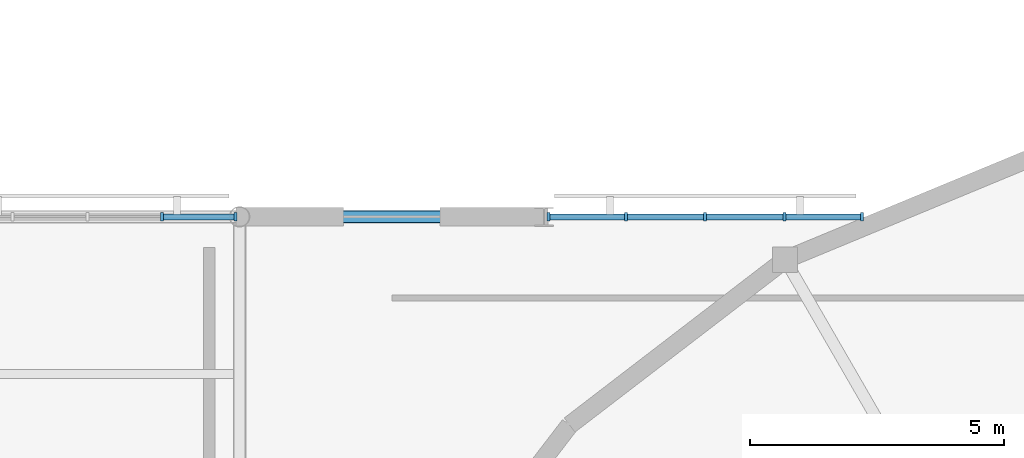
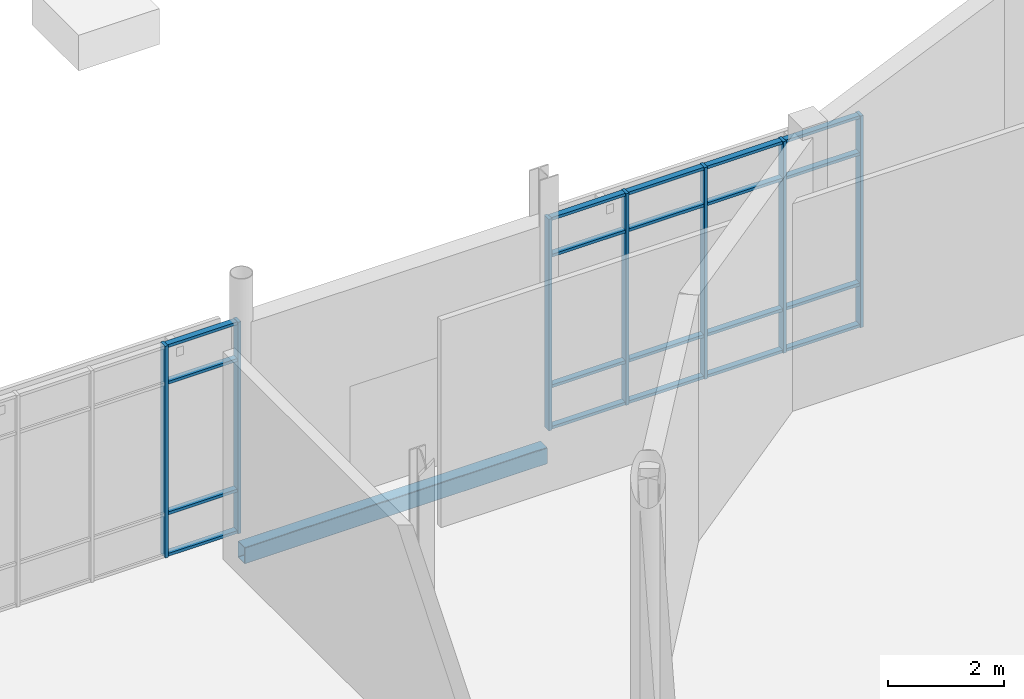
# One storey, part 44 of 98: 27 members, 1 beam, 2 elements without a shape of their own.
"""IFC4 building model written with IfcOpenShell, lengths in metres."""

from ifc_helpers import new_model, si_unit, direction, frame, origin, origin_2d, place, context, subcontext, project, spatial, rectangle, hollow_rectangle, extrude, material, layer, layer_set, material_profile, profile_set, type_object, element, aggregate, save


model = new_model("IFC4")

# Units and contexts
model_context = context("Model", 3, precision=1e-05, world=origin(), true_north=direction((0.0, 1.0)))
body_context = subcontext(model_context, "Body", "Model", "MODEL_VIEW")
ifc_project = project(units=[si_unit("LENGTHUNIT", "METRE"), si_unit("AREAUNIT", "SQUARE_METRE"), si_unit("VOLUMEUNIT", "CUBIC_METRE"), si_unit("PLANEANGLEUNIT", "RADIAN"), si_unit("MASSUNIT", "GRAM", prefix="KILO")], contexts=[model_context])

# Site, building, storey
site_placement = place(None, origin())
site = spatial("IfcSite", under=ifc_project, at=site_placement, CompositionType="ELEMENT")
building_placement = place(site_placement, origin())
building = spatial("IfcBuilding", under=site, at=building_placement, Name="Mirzam Square Science Centre", CompositionType="ELEMENT")
storey_placement = place(building_placement, origin())
storey = spatial("IfcBuildingStorey", under=building, at=storey_placement, Name="L00", CompositionType="ELEMENT", Elevation=0.0)

# Curtain wall, members
ifc_material_1 = material(Name="Anodised Aluminium and Low-E Solar Glass", Category="aluminium")
ifc_layer = layer(ifc_material_1, 0.199951171875)
ifc_layer_set = layer_set([ifc_layer], Name="CW-EAST-A")
curtain_wall_type = type_object("IfcCurtainWallType", Name="CW-EAST-A", PredefinedType="USERDEFINED", material=ifc_layer_set)
curtain_wall_1_placement = place(storey_placement, origin())
curtain_wall_1 = element("IfcCurtainWall", 1, at=curtain_wall_1_placement, inside=storey, type_object=curtain_wall_type, Name="L00 unitised curtain wall 6", ObjectType="UNITISED CURTAIN WALL", PredefinedType="USERDEFINED")
ifc_material_2 = material(Name="Anodised Architectural Aluminium 6063-T6", Category="aluminium")
ifc_material_profile_1 = material_profile(ifc_material_2, rectangle(XDim=0.06005859375, YDim=0.159912109375, at=origin_2d()), Name="ALU-MULL-160x60x4")
ifc_profile_set_1 = profile_set([ifc_material_profile_1], Name="Anodised Architectural Aluminium 6063-T6")
member_type_1 = type_object("IfcMemberType", Name="CWM-160", PredefinedType="MULLION", material=ifc_profile_set_1)
member_1_placement = place(storey_placement, frame((59.9150390625, 80.60009765625, 0.0), z_axis=(0.0, 0.0, 1.0), x_axis=(-1.0, 0.0, 0.0)))
member_1 = element("IfcMember", 2, at=member_1_placement, type_object=member_type_1, Name="CW-05 mullion 1", PredefinedType="MULLION", context=body_context, shape_type="SweptSolid", body=[
    extrude(rectangle(XDim=0.06005859375, YDim=0.159912109375, at=origin_2d()), origin(), (0.0, 0.0, 1.0), 4.43994140625),
])
member_2_placement = place(storey_placement, frame((58.472412109375, 80.60009765625, 0.0), z_axis=(0.0, 0.0, 1.0), x_axis=(-1.0, 0.0, 0.0)))
member_2 = element("IfcMember", 3, at=member_2_placement, type_object=member_type_1, Name="CW-05 mullion 2", PredefinedType="MULLION", context=body_context, shape_type="SweptSolid", body=[
    extrude(rectangle(XDim=0.06005859375, YDim=0.159912109375, at=origin_2d()), origin(), (0.0, 0.0, 1.0), 4.43994140625),
])

curtain_wall_2_placement = place(storey_placement, origin())
curtain_wall_2 = element("IfcCurtainWall", 4, at=curtain_wall_2_placement, inside=storey, type_object=curtain_wall_type, Name="L00 unitised curtain wall 46", ObjectType="UNITISED CURTAIN WALL", PredefinedType="USERDEFINED")
member_3_placement = place(storey_placement, frame((72.264892578125, 80.60009765625, 0.0), z_axis=(0.0, 0.0, 1.0), x_axis=(-1.0, 0.0, 0.0)))
member_3 = element("IfcMember", 5, at=member_3_placement, type_object=member_type_1, Name="CW-05 mullion 1", PredefinedType="MULLION", context=body_context, shape_type="SweptSolid", body=[
    extrude(rectangle(XDim=0.06005859375, YDim=0.159912109375, at=origin_2d()), origin(), (0.0, 0.0, 1.0), 4.43994140625),
])
member_4_placement = place(storey_placement, frame((70.735107421875, 80.60009765625, 0.0), z_axis=(0.0, 0.0, 1.0), x_axis=(-1.0, 0.0, 0.0)))
member_4 = element("IfcMember", 6, at=member_4_placement, type_object=member_type_1, Name="CW-05 mullion 2", PredefinedType="MULLION", context=body_context, shape_type="SweptSolid", body=[
    extrude(rectangle(XDim=0.06005859375, YDim=0.159912109375, at=origin_2d()), origin(), (0.0, 0.0, 1.0), 4.43994140625),
])
member_5_placement = place(storey_placement, frame((69.175048828125, 80.60009765625, 0.0), z_axis=(0.0, 0.0, 1.0), x_axis=(-1.0, 0.0, 0.0)))
member_5 = element("IfcMember", 7, at=member_5_placement, type_object=member_type_1, Name="CW-05 mullion 3", PredefinedType="MULLION", context=body_context, shape_type="SweptSolid", body=[
    extrude(rectangle(XDim=0.06005859375, YDim=0.159912109375, at=origin_2d()), origin(), (0.0, 0.0, 1.0), 4.43994140625),
])
member_6_placement = place(storey_placement, frame((67.614990234375, 80.60009765625, 0.0), z_axis=(0.0, 0.0, 1.0), x_axis=(-1.0, 0.0, 0.0)))
member_6 = element("IfcMember", 8, at=member_6_placement, type_object=member_type_1, Name="CW-05 mullion 4", PredefinedType="MULLION", context=body_context, shape_type="SweptSolid", body=[
    extrude(rectangle(XDim=0.06005859375, YDim=0.159912109375, at=origin_2d()), origin(), (0.0, 0.0, 1.0), 4.43994140625),
])
member_7_placement = place(storey_placement, frame((66.0849609375, 80.60009765625, 0.0), z_axis=(0.0, 0.0, 1.0), x_axis=(-1.0, 0.0, 0.0)))
member_7 = element("IfcMember", 9, at=member_7_placement, type_object=member_type_1, Name="CW-05 mullion 5", PredefinedType="MULLION", context=body_context, shape_type="SweptSolid", body=[
    extrude(rectangle(XDim=0.06005859375, YDim=0.159912109375, at=origin_2d()), origin(), (0.0, 0.0, 1.0), 4.43994140625),
])

# Member
ifc_material_profile_2 = material_profile(ifc_material_2, rectangle(XDim=0.1201171875, YDim=0.06005859375, at=origin_2d()), Name="ALU-TRAN-120x60x4")
ifc_profile_set_2 = profile_set([ifc_material_profile_2], Name="Anodised Architectural Aluminium 6063-T6")
member_type_2 = type_object("IfcMemberType", Name="CWT-120", PredefinedType="USERDEFINED", material=ifc_profile_set_2)
member_8_placement = place(storey_placement, frame((59.885009765625, 80.60009765625, 0.030029296875), z_axis=(-1.0, 0.0, 0.0), x_axis=(0.0, -1.0, 0.0)))
member_8 = element("IfcMember", 10, at=member_8_placement, type_object=member_type_2, Name="CW-05 transom 1.1", ObjectType="TRANSOM", PredefinedType="USERDEFINED", context=body_context, shape_type="SweptSolid", body=[
    extrude(rectangle(XDim=0.1201171875, YDim=0.06005859375, at=origin_2d()), origin(), (0.0, 0.0, 1.0), 1.382568359375),
])

member_9_placement = place(storey_placement, frame((59.885009765625, 80.60009765625, 0.89990234375), z_axis=(-1.0, 0.0, 0.0), x_axis=(0.0, -1.0, 0.0)))
member_9 = element("IfcMember", 11, at=member_9_placement, type_object=member_type_2, Name="CW-05 transom 1.2", ObjectType="TRANSOM", PredefinedType="USERDEFINED", context=body_context, shape_type="SweptSolid", body=[
    extrude(rectangle(XDim=0.1201171875, YDim=0.06005859375, at=origin_2d()), origin(), (0.0, 0.0, 1.0), 1.382568359375),
])

member_10_placement = place(storey_placement, frame((59.885009765625, 80.60009765625, 3.639892578125), z_axis=(-1.0, 0.0, 0.0), x_axis=(0.0, -1.0, 0.0)))
member_10 = element("IfcMember", 12, at=member_10_placement, type_object=member_type_2, Name="CW-05 transom 1.3", ObjectType="TRANSOM", PredefinedType="USERDEFINED", context=body_context, shape_type="SweptSolid", body=[
    extrude(rectangle(XDim=0.1201171875, YDim=0.06005859375, at=origin_2d()), origin(), (0.0, 0.0, 1.0), 1.382568359375),
])

member_11_placement = place(storey_placement, frame((59.885009765625, 80.60009765625, 4.409912109375), z_axis=(-1.0, 0.0, 0.0), x_axis=(0.0, -1.0, 0.0)))
member_11 = element("IfcMember", 13, at=member_11_placement, type_object=member_type_2, Name="CW-05 transom 1.4", ObjectType="TRANSOM", PredefinedType="USERDEFINED", context=body_context, shape_type="SweptSolid", body=[
    extrude(rectangle(XDim=0.1201171875, YDim=0.06005859375, at=origin_2d()), origin(), (0.0, 0.0, 1.0), 1.382568359375),
])

aggregate(curtain_wall_1, [member_1, member_2, member_8, member_9, member_10, member_11])

member_12_placement = place(storey_placement, frame((72.235107421875, 80.60009765625, 0.030029296875), z_axis=(-1.0, 0.0, 0.0), x_axis=(0.0, -1.0, 0.0)))
member_12 = element("IfcMember", 14, at=member_12_placement, type_object=member_type_2, Name="CW-05 transom 1.1", ObjectType="TRANSOM", PredefinedType="USERDEFINED", context=body_context, shape_type="SweptSolid", body=[
    extrude(rectangle(XDim=0.1201171875, YDim=0.06005859375, at=origin_2d()), origin(), (0.0, 0.0, 1.0), 1.47021484375),
])

member_13_placement = place(storey_placement, frame((72.235107421875, 80.60009765625, 0.89990234375), z_axis=(-1.0, 0.0, 0.0), x_axis=(0.0, -1.0, 0.0)))
member_13 = element("IfcMember", 15, at=member_13_placement, type_object=member_type_2, Name="CW-05 transom 1.2", ObjectType="TRANSOM", PredefinedType="USERDEFINED", context=body_context, shape_type="SweptSolid", body=[
    extrude(rectangle(XDim=0.1201171875, YDim=0.06005859375, at=origin_2d()), origin(), (0.0, 0.0, 1.0), 1.47021484375),
])

member_14_placement = place(storey_placement, frame((72.235107421875, 80.60009765625, 3.639892578125), z_axis=(-1.0, 0.0, 0.0), x_axis=(0.0, -1.0, 0.0)))
member_14 = element("IfcMember", 16, at=member_14_placement, type_object=member_type_2, Name="CW-05 transom 1.3", ObjectType="TRANSOM", PredefinedType="USERDEFINED", context=body_context, shape_type="SweptSolid", body=[
    extrude(rectangle(XDim=0.1201171875, YDim=0.06005859375, at=origin_2d()), origin(), (0.0, 0.0, 1.0), 1.47021484375),
])

member_15_placement = place(storey_placement, frame((72.235107421875, 80.60009765625, 4.409912109375), z_axis=(-1.0, 0.0, 0.0), x_axis=(0.0, -1.0, 0.0)))
member_15 = element("IfcMember", 17, at=member_15_placement, type_object=member_type_2, Name="CW-05 transom 1.4", ObjectType="TRANSOM", PredefinedType="USERDEFINED", context=body_context, shape_type="SweptSolid", body=[
    extrude(rectangle(XDim=0.1201171875, YDim=0.06005859375, at=origin_2d()), origin(), (0.0, 0.0, 1.0), 1.47021484375),
])

member_16_placement = place(storey_placement, frame((70.705078125, 80.60009765625, 0.030029296875), z_axis=(-1.0, 0.0, 0.0), x_axis=(0.0, -1.0, 0.0)))
member_16 = element("IfcMember", 18, at=member_16_placement, type_object=member_type_2, Name="CW-05 transom 2.1", ObjectType="TRANSOM", PredefinedType="USERDEFINED", context=body_context, shape_type="SweptSolid", body=[
    extrude(rectangle(XDim=0.1201171875, YDim=0.06005859375, at=origin_2d()), origin(), (0.0, 0.0, 1.0), 1.5),
])

member_17_placement = place(storey_placement, frame((70.705078125, 80.60009765625, 0.89990234375), z_axis=(-1.0, 0.0, 0.0), x_axis=(0.0, -1.0, 0.0)))
member_17 = element("IfcMember", 19, at=member_17_placement, type_object=member_type_2, Name="CW-05 transom 2.2", ObjectType="TRANSOM", PredefinedType="USERDEFINED", context=body_context, shape_type="SweptSolid", body=[
    extrude(rectangle(XDim=0.1201171875, YDim=0.06005859375, at=origin_2d()), origin(), (0.0, 0.0, 1.0), 1.5),
])

member_18_placement = place(storey_placement, frame((70.705078125, 80.60009765625, 3.639892578125), z_axis=(-1.0, 0.0, 0.0), x_axis=(0.0, -1.0, 0.0)))
member_18 = element("IfcMember", 20, at=member_18_placement, type_object=member_type_2, Name="CW-05 transom 2.3", ObjectType="TRANSOM", PredefinedType="USERDEFINED", context=body_context, shape_type="SweptSolid", body=[
    extrude(rectangle(XDim=0.1201171875, YDim=0.06005859375, at=origin_2d()), origin(), (0.0, 0.0, 1.0), 1.5),
])

member_19_placement = place(storey_placement, frame((70.705078125, 80.60009765625, 4.409912109375), z_axis=(-1.0, 0.0, 0.0), x_axis=(0.0, -1.0, 0.0)))
member_19 = element("IfcMember", 21, at=member_19_placement, type_object=member_type_2, Name="CW-05 transom 2.4", ObjectType="TRANSOM", PredefinedType="USERDEFINED", context=body_context, shape_type="SweptSolid", body=[
    extrude(rectangle(XDim=0.1201171875, YDim=0.06005859375, at=origin_2d()), origin(), (0.0, 0.0, 1.0), 1.5),
])

member_20_placement = place(storey_placement, frame((69.14501953125, 80.60009765625, 0.030029296875), z_axis=(-1.0, 0.0, 0.0), x_axis=(0.0, -1.0, 0.0)))
member_20 = element("IfcMember", 22, at=member_20_placement, type_object=member_type_2, Name="CW-05 transom 3.1", ObjectType="TRANSOM", PredefinedType="USERDEFINED", context=body_context, shape_type="SweptSolid", body=[
    extrude(rectangle(XDim=0.1201171875, YDim=0.06005859375, at=origin_2d()), origin(), (0.0, 0.0, 1.0), 1.5),
])

member_21_placement = place(storey_placement, frame((69.14501953125, 80.60009765625, 0.89990234375), z_axis=(-1.0, 0.0, 0.0), x_axis=(0.0, -1.0, 0.0)))
member_21 = element("IfcMember", 23, at=member_21_placement, type_object=member_type_2, Name="CW-05 transom 3.2", ObjectType="TRANSOM", PredefinedType="USERDEFINED", context=body_context, shape_type="SweptSolid", body=[
    extrude(rectangle(XDim=0.1201171875, YDim=0.06005859375, at=origin_2d()), origin(), (0.0, 0.0, 1.0), 1.5),
])

member_22_placement = place(storey_placement, frame((69.14501953125, 80.60009765625, 3.639892578125), z_axis=(-1.0, 0.0, 0.0), x_axis=(0.0, -1.0, 0.0)))
member_22 = element("IfcMember", 24, at=member_22_placement, type_object=member_type_2, Name="CW-05 transom 3.3", ObjectType="TRANSOM", PredefinedType="USERDEFINED", context=body_context, shape_type="SweptSolid", body=[
    extrude(rectangle(XDim=0.1201171875, YDim=0.06005859375, at=origin_2d()), origin(), (0.0, 0.0, 1.0), 1.5),
])

member_23_placement = place(storey_placement, frame((69.14501953125, 80.60009765625, 4.409912109375), z_axis=(-1.0, 0.0, 0.0), x_axis=(0.0, -1.0, 0.0)))
member_23 = element("IfcMember", 25, at=member_23_placement, type_object=member_type_2, Name="CW-05 transom 3.4", ObjectType="TRANSOM", PredefinedType="USERDEFINED", context=body_context, shape_type="SweptSolid", body=[
    extrude(rectangle(XDim=0.1201171875, YDim=0.06005859375, at=origin_2d()), origin(), (0.0, 0.0, 1.0), 1.5),
])

member_24_placement = place(storey_placement, frame((67.5849609375, 80.60009765625, 0.030029296875), z_axis=(-1.0, 0.0, 0.0), x_axis=(0.0, -1.0, 0.0)))
member_24 = element("IfcMember", 26, at=member_24_placement, type_object=member_type_2, Name="CW-05 transom 4.1", ObjectType="TRANSOM", PredefinedType="USERDEFINED", context=body_context, shape_type="SweptSolid", body=[
    extrude(rectangle(XDim=0.1201171875, YDim=0.06005859375, at=origin_2d()), origin(), (0.0, 0.0, 1.0), 1.469970703125),
])

member_25_placement = place(storey_placement, frame((67.5849609375, 80.60009765625, 0.89990234375), z_axis=(-1.0, 0.0, 0.0), x_axis=(0.0, -1.0, 0.0)))
member_25 = element("IfcMember", 27, at=member_25_placement, type_object=member_type_2, Name="CW-05 transom 4.2", ObjectType="TRANSOM", PredefinedType="USERDEFINED", context=body_context, shape_type="SweptSolid", body=[
    extrude(rectangle(XDim=0.1201171875, YDim=0.06005859375, at=origin_2d()), origin(), (0.0, 0.0, 1.0), 1.469970703125),
])

member_26_placement = place(storey_placement, frame((67.5849609375, 80.60009765625, 3.639892578125), z_axis=(-1.0, 0.0, 0.0), x_axis=(0.0, -1.0, 0.0)))
member_26 = element("IfcMember", 28, at=member_26_placement, type_object=member_type_2, Name="CW-05 transom 4.3", ObjectType="TRANSOM", PredefinedType="USERDEFINED", context=body_context, shape_type="SweptSolid", body=[
    extrude(rectangle(XDim=0.1201171875, YDim=0.06005859375, at=origin_2d()), origin(), (0.0, 0.0, 1.0), 1.469970703125),
])

member_27_placement = place(storey_placement, frame((67.5849609375, 80.60009765625, 4.409912109375), z_axis=(-1.0, 0.0, 0.0), x_axis=(0.0, -1.0, 0.0)))
member_27 = element("IfcMember", 29, at=member_27_placement, type_object=member_type_2, Name="CW-05 transom 4.4", ObjectType="TRANSOM", PredefinedType="USERDEFINED", context=body_context, shape_type="SweptSolid", body=[
    extrude(rectangle(XDim=0.1201171875, YDim=0.06005859375, at=origin_2d()), origin(), (0.0, 0.0, 1.0), 1.469970703125),
])

aggregate(curtain_wall_2, [member_3, member_4, member_5, member_6, member_7, member_12, member_13, member_14, member_15, member_16, member_17, member_18, member_19, member_20, member_21, member_22, member_23, member_24, member_25, member_26, member_27])

# Beam
ifc_material_3 = material(Name="Steel S355", Category="steel")
ifc_material_profile_3 = material_profile(ifc_material_3, hollow_rectangle(XDim=0.25, YDim=0.35009765625, WallThickness=0.012451171875, InnerFilletRadius=0.012451171875, OuterFilletRadius=0.02490234375, at=origin_2d()), Name="350x250x12.5RHS")
ifc_profile_set_3 = profile_set([ifc_material_profile_3], Name="Steel S355")
beam_type = type_object("IfcBeamType", Name="SP-RHS350", PredefinedType="SPANDREL", material=ifc_profile_set_3)
beam_placement = place(storey_placement, frame((60.0, 80.60009765625, -0.47509765625), z_axis=(1.0, 0.0, 0.0), x_axis=(0.0, 1.0, 0.0)))
element("IfcBeam", 30, at=beam_placement, inside=storey, type_object=beam_type, Name="L00 girder X11-14", PredefinedType="SPANDREL", context=body_context, shape_type="SweptSolid", body=[
    extrude(hollow_rectangle(XDim=0.25, YDim=0.35009765625, WallThickness=0.012451171875, InnerFilletRadius=0.012451171875, OuterFilletRadius=0.02490234375, at=origin_2d()), origin(), (0.0, 0.0, 1.0), 6.0),
])

save(model, "model.ifc")
